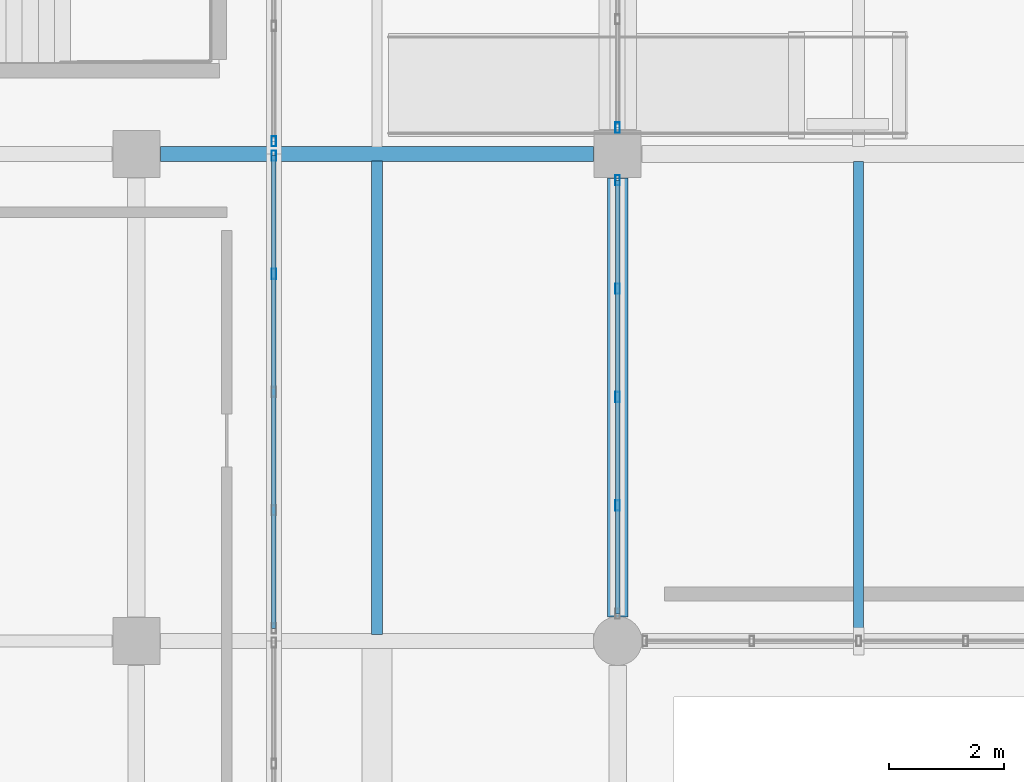
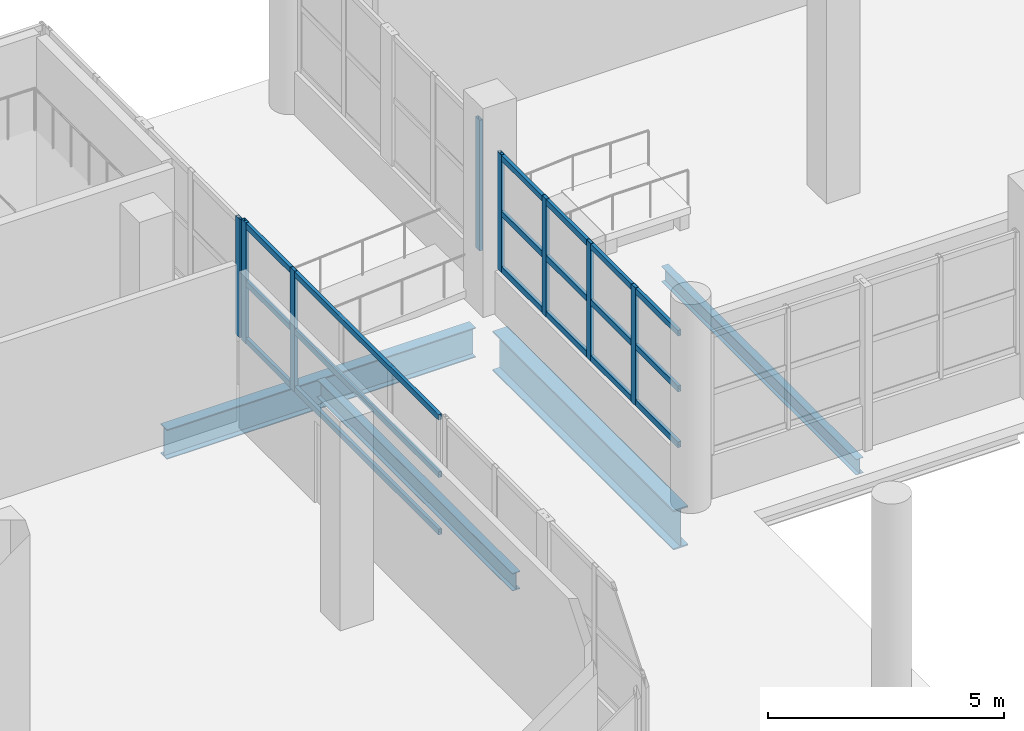
# One storey, part 28 of 107: 14 members, 4 beams, 4 elements without a shape of their own.
"""IFC4 building model written with IfcOpenShell, lengths in metres."""

from ifc_helpers import new_model, si_unit, direction, frame, origin, origin_2d, place, context, subcontext, project, spatial, hollow_rectangle, i_section, extrude, material, material_profile, profile_set, type_object, element, aggregate, save


model = new_model("IFC4")

# Units and contexts
model_context = context("Model", 3, precision=1e-05, world=origin(), true_north=direction((0.0, 1.0)))
body_context = subcontext(model_context, "Body", "Model", "MODEL_VIEW")
ifc_project = project(units=[si_unit("LENGTHUNIT", "METRE"), si_unit("AREAUNIT", "SQUARE_METRE"), si_unit("VOLUMEUNIT", "CUBIC_METRE"), si_unit("PLANEANGLEUNIT", "RADIAN"), si_unit("MASSUNIT", "GRAM", prefix="KILO")], contexts=[model_context])

# Site, building, storey
site_placement = place(None, origin())
site = spatial("IfcSite", under=ifc_project, at=site_placement, CompositionType="ELEMENT")
building_placement = place(site_placement, origin())
building = spatial("IfcBuilding", under=site, at=building_placement, Name="Solvento Point Concert Hall", CompositionType="ELEMENT")
storey_placement = place(building_placement, origin())
storey = spatial("IfcBuildingStorey", under=building, at=storey_placement, Name="L00", CompositionType="ELEMENT", Elevation=0.0)

# Beams
ifc_material_1 = material(Name="Structural Steel ASTM A992 Grade 50", Category="steel")
ifc_material_profile_1 = material_profile(ifc_material_1, i_section(OverallWidth=0.26806640625, OverallDepth=0.77001953125, WebThickness=0.015625, FlangeThickness=0.025390625, at=origin_2d()), Name="W30X132")
ifc_profile_set_1 = profile_set([ifc_material_profile_1], Name="Structural Steel ASTM A992 Grade 50")
beam_type_1 = type_object("IfcBeamType", Name="Girder_W30X132", PredefinedType="USERDEFINED", material=ifc_profile_set_1)
beam_1_placement = place(storey_placement, frame((16.02392578125, 127.5, -0.799072265625), z_axis=(1.0, 0.0, 0.0), x_axis=(0.0, 1.0, 0.0)))
element("IfcBeam", 1, at=beam_1_placement, inside=storey, type_object=beam_type_1, Name="Primary girder B-68 L00", ObjectType="GIRDER", PredefinedType="USERDEFINED", context=body_context, shape_type="SweptSolid", body=[
    extrude(i_section(OverallWidth=0.26806640625, OverallDepth=0.77001953125, WebThickness=0.015625, FlangeThickness=0.025390625, at=origin_2d()), origin(), (0.0, 0.0, 1.0), 7.552001953125),
])
ifc_material_2 = material(Name="Structural Steel ASTM A992 Grade 50", Category="steel")
ifc_material_profile_2 = material_profile(ifc_material_2, i_section(OverallWidth=0.361083984375, OverallDepth=1.02587890625, WebThickness=0.01904296875, FlangeThickness=0.0361328125, at=origin_2d()), Name="W40X249")
ifc_profile_set_2 = profile_set([ifc_material_profile_2], Name="Structural Steel ASTM A992 Grade 50")
beam_type_2 = type_object("IfcBeamType", Name="Girder_W40X249", PredefinedType="USERDEFINED", material=ifc_profile_set_2)
beam_2_placement = place(storey_placement, frame((24.0, 119.424072265625, -0.927001953125), z_axis=(0.0, 1.0, 0.0), x_axis=(-1.0, 0.0, 0.0)))
element("IfcBeam", 2, at=beam_2_placement, inside=storey, type_object=beam_type_2, Name="Primary girder B-29 L00", ObjectType="GIRDER", PredefinedType="USERDEFINED", context=body_context, shape_type="SweptSolid", body=[
    extrude(i_section(OverallWidth=0.361083984375, OverallDepth=1.02587890625, WebThickness=0.01904296875, FlangeThickness=0.0361328125, at=origin_2d()), origin(), (0.0, 0.0, 1.0), 7.65185546875),
])
ifc_material_3 = material(Name="Structural Steel ASTM A992 Grade 50", Category="steel")
ifc_material_profile_3 = material_profile(ifc_material_3, i_section(OverallWidth=0.177490234375, OverallDepth=0.403076171875, WebThickness=0.007568359375, FlangeThickness=0.010986328125, at=origin_2d()), Name="W16X36")
ifc_profile_set_3 = profile_set([ifc_material_profile_3], Name="Structural Steel ASTM A992 Grade 50")
beam_type_3 = type_object("IfcBeamType", Name="Joist_W16X36", PredefinedType="JOIST", material=ifc_profile_set_3)
beam_3_placement = place(storey_placement, frame((28.199951171875, 119.118896484375, -0.615478515625), z_axis=(0.0, 1.0, 0.0), x_axis=(-1.0, 0.0, 0.0)))
element("IfcBeam", 3, at=beam_3_placement, inside=storey, type_object=beam_type_3, Name="Secondary floor joist B-30 L00", PredefinedType="JOIST", context=body_context, shape_type="SweptSolid", body=[
    extrude(i_section(OverallWidth=0.177490234375, OverallDepth=0.403076171875, WebThickness=0.007568359375, FlangeThickness=0.010986328125, at=origin_2d()), origin(), (0.0, 0.0, 1.0), 8.25),
])
ifc_material_4 = material(Name="Structural Steel ASTM A992 Grade 50", Category="steel")
ifc_material_profile_4 = material_profile(ifc_material_4, i_section(OverallWidth=0.1904296875, OverallDepth=0.45703125, WebThickness=0.009033203125, FlangeThickness=0.014404296875, at=origin_2d()), Name="W18X50")
ifc_profile_set_4 = profile_set([ifc_material_profile_4], Name="Structural Steel ASTM A992 Grade 50")
beam_type_4 = type_object("IfcBeamType", Name="Joist_W18X50", PredefinedType="JOIST", material=ifc_profile_set_4)
beam_4_placement = place(storey_placement, frame((19.800048828125, 119.113037109375, -0.642578125), z_axis=(0.0, 1.0, 0.0), x_axis=(-1.0, 0.0, 0.0)))
element("IfcBeam", 4, at=beam_4_placement, inside=storey, type_object=beam_type_4, Name="Secondary floor joist B-66 L00", PredefinedType="JOIST", context=body_context, shape_type="SweptSolid", body=[
    extrude(i_section(OverallWidth=0.1904296875, OverallDepth=0.45703125, WebThickness=0.009033203125, FlangeThickness=0.014404296875, at=origin_2d()), origin(), (0.0, 0.0, 1.0), 8.26806640625),
])

# Curtain wall, members
ifc_material_5 = material(Name="Anodized Bronze Aluminium", Category="aluminium")
curtain_wall_type = type_object("IfcCurtainWallType", Name="CurtainWall_CourtPilotis", PredefinedType="USERDEFINED", material=ifc_material_5)
curtain_wall_1_placement = place(storey_placement, origin())
curtain_wall_1 = element("IfcCurtainWall", 5, at=curtain_wall_1_placement, inside=storey, type_object=curtain_wall_type, Name="Unitised curtain wall CW-96 UCW-L00-027", ObjectType="UNITISED CURTAIN WALL", PredefinedType="USERDEFINED")
ifc_material_6 = material(Name="Anodized Bronze Aluminium", Category="aluminium")
ifc_material_profile_5 = material_profile(ifc_material_6, hollow_rectangle(XDim=0.080078125, YDim=0.179931640625, WallThickness=0.00390625, at=origin_2d()), Name="CW-MUL-80X180")
ifc_profile_set_5 = profile_set([ifc_material_profile_5], Name="Anodized Bronze Aluminium")
member_type_1 = type_object("IfcMemberType", Name="Mullion_80x180", PredefinedType="MULLION", material=ifc_profile_set_5)
member_1_placement = place(storey_placement, frame((24.0, 121.3662109375, 1.1201171875), z_axis=(0.0, 0.0, 1.0), x_axis=(1.0, 0.0, 0.0)))
member_1 = element("IfcMember", 6, at=member_1_placement, type_object=member_type_1, Name="Curtain wall mullion ML-01", PredefinedType="MULLION", context=body_context, shape_type="SweptSolid", body=[
    extrude(hollow_rectangle(XDim=0.080078125, YDim=0.179931640625, WallThickness=0.00390625, at=origin_2d()), origin(), (0.0, 0.0, 1.0), 3.0439453125),
])
member_2_placement = place(storey_placement, frame((24.0, 123.257568359375, 1.1201171875), z_axis=(0.0, 0.0, 1.0), x_axis=(1.0, 0.0, 0.0)))
member_2 = element("IfcMember", 7, at=member_2_placement, type_object=member_type_1, Name="Curtain wall mullion ML-01", PredefinedType="MULLION", context=body_context, shape_type="SweptSolid", body=[
    extrude(hollow_rectangle(XDim=0.080078125, YDim=0.179931640625, WallThickness=0.00390625, at=origin_2d()), origin(), (0.0, 0.0, 1.0), 3.0439453125),
])
member_3_placement = place(storey_placement, frame((24.0, 125.148681640625, 1.1201171875), z_axis=(0.0, 0.0, 1.0), x_axis=(1.0, 0.0, 0.0)))
member_3 = element("IfcMember", 8, at=member_3_placement, type_object=member_type_1, Name="Curtain wall mullion ML-01", PredefinedType="MULLION", context=body_context, shape_type="SweptSolid", body=[
    extrude(hollow_rectangle(XDim=0.080078125, YDim=0.179931640625, WallThickness=0.00390625, at=origin_2d()), origin(), (0.0, 0.0, 1.0), 3.0439453125),
])
member_4_placement = place(storey_placement, frame((24.0, 127.0400390625, 1.1201171875), z_axis=(0.0, 0.0, 1.0), x_axis=(1.0, 0.0, 0.0)))
member_4 = element("IfcMember", 9, at=member_4_placement, type_object=member_type_1, Name="Curtain wall mullion ML-01", PredefinedType="MULLION", context=body_context, shape_type="SweptSolid", body=[
    extrude(hollow_rectangle(XDim=0.080078125, YDim=0.179931640625, WallThickness=0.00390625, at=origin_2d()), origin(), (0.0, 0.0, 1.0), 3.0439453125),
])

# Curtain wall, member
curtain_wall_2_placement = place(storey_placement, origin())
curtain_wall_2 = element("IfcCurtainWall", 10, at=curtain_wall_2_placement, inside=storey, type_object=curtain_wall_type, Name="Unitised curtain wall CW-96 UCW-L00-028", ObjectType="UNITISED CURTAIN WALL", PredefinedType="USERDEFINED")
member_5_placement = place(storey_placement, frame((24.0, 127.9599609375, 1.1201171875), z_axis=(0.0, 0.0, 1.0), x_axis=(1.0, 0.0, 0.0)))
member_5 = element("IfcMember", 11, at=member_5_placement, type_object=member_type_1, Name="Curtain wall mullion ML-01", PredefinedType="MULLION", context=body_context, shape_type="SweptSolid", body=[
    extrude(hollow_rectangle(XDim=0.080078125, YDim=0.179931640625, WallThickness=0.00390625, at=origin_2d()), origin(), (0.0, 0.0, 1.0), 3.3759765625),
])
aggregate(curtain_wall_2, [member_5])

# Curtain wall, members
curtain_wall_3_placement = place(storey_placement, origin())
curtain_wall_3 = element("IfcCurtainWall", 12, at=curtain_wall_3_placement, inside=storey, type_object=curtain_wall_type, Name="Unitised curtain wall CW-96 UCW-L00-065", ObjectType="UNITISED CURTAIN WALL", PredefinedType="USERDEFINED")
member_6_placement = place(storey_placement, frame((18.0, 125.407470703125, 1.1201171875), z_axis=(0.0, 0.0, 1.0), x_axis=(1.0, 0.0, 0.0)))
member_6 = element("IfcMember", 13, at=member_6_placement, type_object=member_type_1, Name="Curtain wall mullion ML-01", PredefinedType="MULLION", context=body_context, shape_type="SweptSolid", body=[
    extrude(hollow_rectangle(XDim=0.080078125, YDim=0.179931640625, WallThickness=0.00390625, at=origin_2d()), origin(), (0.0, 0.0, 1.0), 3.125),
])
member_7_placement = place(storey_placement, frame((18.0, 127.469970703125, 1.1201171875), z_axis=(0.0, 0.0, 1.0), x_axis=(1.0, 0.0, 0.0)))
member_7 = element("IfcMember", 14, at=member_7_placement, type_object=member_type_1, Name="Curtain wall mullion ML-01", PredefinedType="MULLION", context=body_context, shape_type="SweptSolid", body=[
    extrude(hollow_rectangle(XDim=0.080078125, YDim=0.179931640625, WallThickness=0.00390625, at=origin_2d()), origin(), (0.0, 0.0, 1.0), 3.125),
])

# Curtain wall, member
curtain_wall_4_placement = place(storey_placement, origin())
curtain_wall_4 = element("IfcCurtainWall", 15, at=curtain_wall_4_placement, inside=storey, type_object=curtain_wall_type, Name="Unitised curtain wall CW-96 UCW-L00-066", ObjectType="UNITISED CURTAIN WALL", PredefinedType="USERDEFINED")
member_8_placement = place(storey_placement, frame((18.0, 127.719970703125, 1.1201171875), z_axis=(0.0, 0.0, 1.0), x_axis=(1.0, 0.0, 0.0)))
member_8 = element("IfcMember", 16, at=member_8_placement, type_object=member_type_1, Name="Curtain wall mullion ML-01", PredefinedType="MULLION", context=body_context, shape_type="SweptSolid", body=[
    extrude(hollow_rectangle(XDim=0.080078125, YDim=0.179931640625, WallThickness=0.00390625, at=origin_2d()), origin(), (0.0, 0.0, 1.0), 3.056884765625),
])
aggregate(curtain_wall_4, [member_8])

# Member
ifc_material_7 = material(Name="Anodized Bronze Aluminium", Category="aluminium")
ifc_material_profile_6 = material_profile(ifc_material_7, hollow_rectangle(XDim=0.080078125, YDim=0.14990234375, WallThickness=0.00390625, at=origin_2d()), Name="CW-TRN-80X150")
ifc_profile_set_6 = profile_set([ifc_material_profile_6], Name="Anodized Bronze Aluminium")
member_type_2 = type_object("IfcMemberType", Name="Transom_80x150", PredefinedType="USERDEFINED", material=ifc_profile_set_6)
member_9_placement = place(storey_placement, frame((24.0, 119.47509765625, 1.199951171875), z_axis=(0.0, 1.0, 0.0), x_axis=(-1.0, 0.0, 0.0)))
member_9 = element("IfcMember", 17, at=member_9_placement, type_object=member_type_2, Name="Curtain wall transom TR-01", ObjectType="TRANSOM", PredefinedType="USERDEFINED", context=body_context, shape_type="SweptSolid", body=[
    extrude(hollow_rectangle(XDim=0.080078125, YDim=0.14990234375, WallThickness=0.00390625, at=origin_2d()), origin(), (0.0, 0.0, 1.0), 7.56494140625),
])

member_10_placement = place(storey_placement, frame((24.0, 119.47509765625, 2.64208984375), z_axis=(0.0, 1.0, 0.0), x_axis=(-1.0, 0.0, 0.0)))
member_10 = element("IfcMember", 18, at=member_10_placement, type_object=member_type_2, Name="Curtain wall transom TR-01", ObjectType="TRANSOM", PredefinedType="USERDEFINED", context=body_context, shape_type="SweptSolid", body=[
    extrude(hollow_rectangle(XDim=0.080078125, YDim=0.14990234375, WallThickness=0.00390625, at=origin_2d()), origin(), (0.0, 0.0, 1.0), 7.56494140625),
])

member_11_placement = place(storey_placement, frame((24.0, 119.47509765625, 4.083984375), z_axis=(0.0, 1.0, 0.0), x_axis=(-1.0, 0.0, 0.0)))
member_11 = element("IfcMember", 19, at=member_11_placement, type_object=member_type_2, Name="Curtain wall transom TR-01", ObjectType="TRANSOM", PredefinedType="USERDEFINED", context=body_context, shape_type="SweptSolid", body=[
    extrude(hollow_rectangle(XDim=0.080078125, YDim=0.14990234375, WallThickness=0.00390625, at=origin_2d()), origin(), (0.0, 0.0, 1.0), 7.56494140625),
])

aggregate(curtain_wall_1, [member_1, member_2, member_3, member_4, member_9, member_10, member_11])

member_12_placement = place(storey_placement, frame((18.0, 119.219970703125, 1.199951171875), z_axis=(0.0, 1.0, 0.0), x_axis=(-1.0, 0.0, 0.0)))
member_12 = element("IfcMember", 20, at=member_12_placement, type_object=member_type_2, Name="Curtain wall transom TR-01", ObjectType="TRANSOM", PredefinedType="USERDEFINED", context=body_context, shape_type="SweptSolid", body=[
    extrude(hollow_rectangle(XDim=0.080078125, YDim=0.14990234375, WallThickness=0.00390625, at=origin_2d()), origin(), (0.0, 0.0, 1.0), 8.25),
])

member_13_placement = place(storey_placement, frame((18.0, 119.219970703125, 2.6826171875), z_axis=(0.0, 1.0, 0.0), x_axis=(-1.0, 0.0, 0.0)))
member_13 = element("IfcMember", 21, at=member_13_placement, type_object=member_type_2, Name="Curtain wall transom TR-01", ObjectType="TRANSOM", PredefinedType="USERDEFINED", context=body_context, shape_type="SweptSolid", body=[
    extrude(hollow_rectangle(XDim=0.080078125, YDim=0.14990234375, WallThickness=0.00390625, at=origin_2d()), origin(), (0.0, 0.0, 1.0), 8.25),
])

member_14_placement = place(storey_placement, frame((18.0, 119.219970703125, 4.1650390625), z_axis=(0.0, 1.0, 0.0), x_axis=(-1.0, 0.0, 0.0)))
member_14 = element("IfcMember", 22, at=member_14_placement, type_object=member_type_2, Name="Curtain wall transom TR-01", ObjectType="TRANSOM", PredefinedType="USERDEFINED", context=body_context, shape_type="SweptSolid", body=[
    extrude(hollow_rectangle(XDim=0.080078125, YDim=0.14990234375, WallThickness=0.00390625, at=origin_2d()), origin(), (0.0, 0.0, 1.0), 8.25),
])

aggregate(curtain_wall_3, [member_6, member_7, member_12, member_13, member_14])

save(model, "model.ifc")
